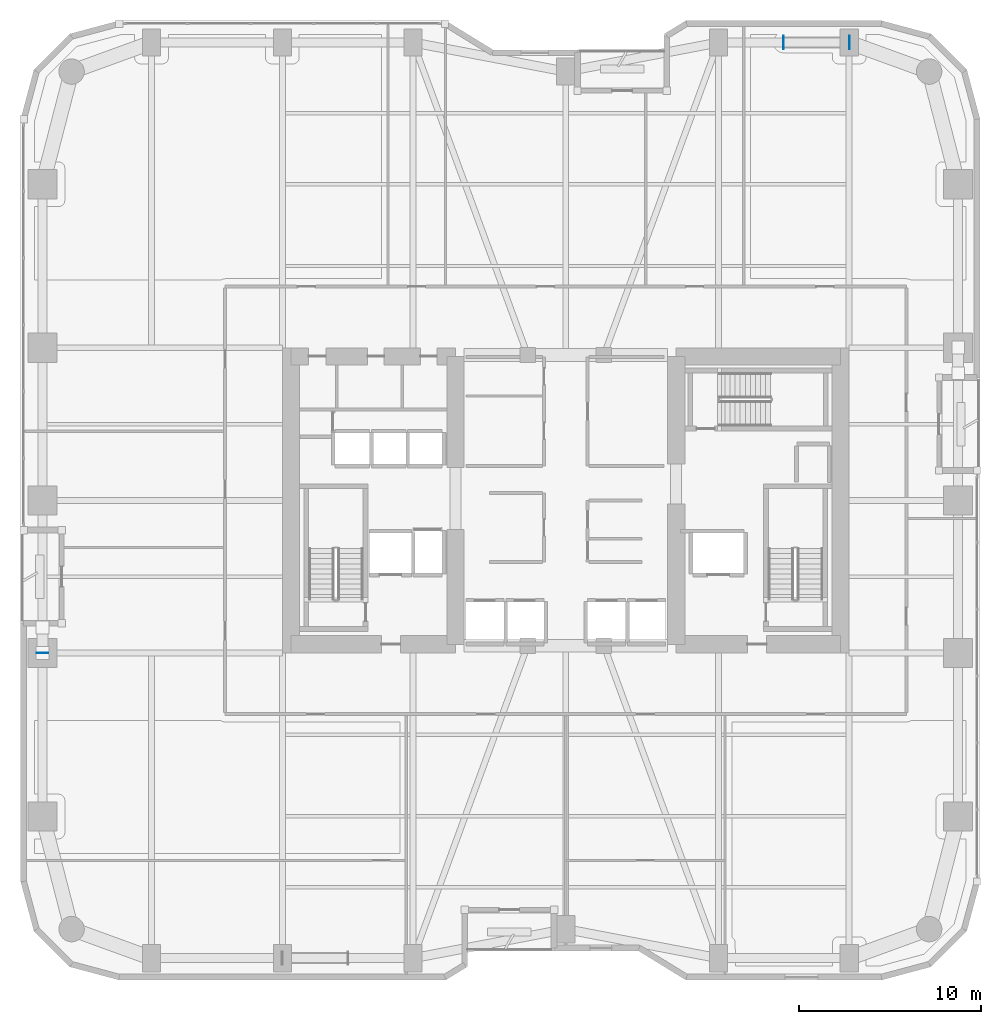
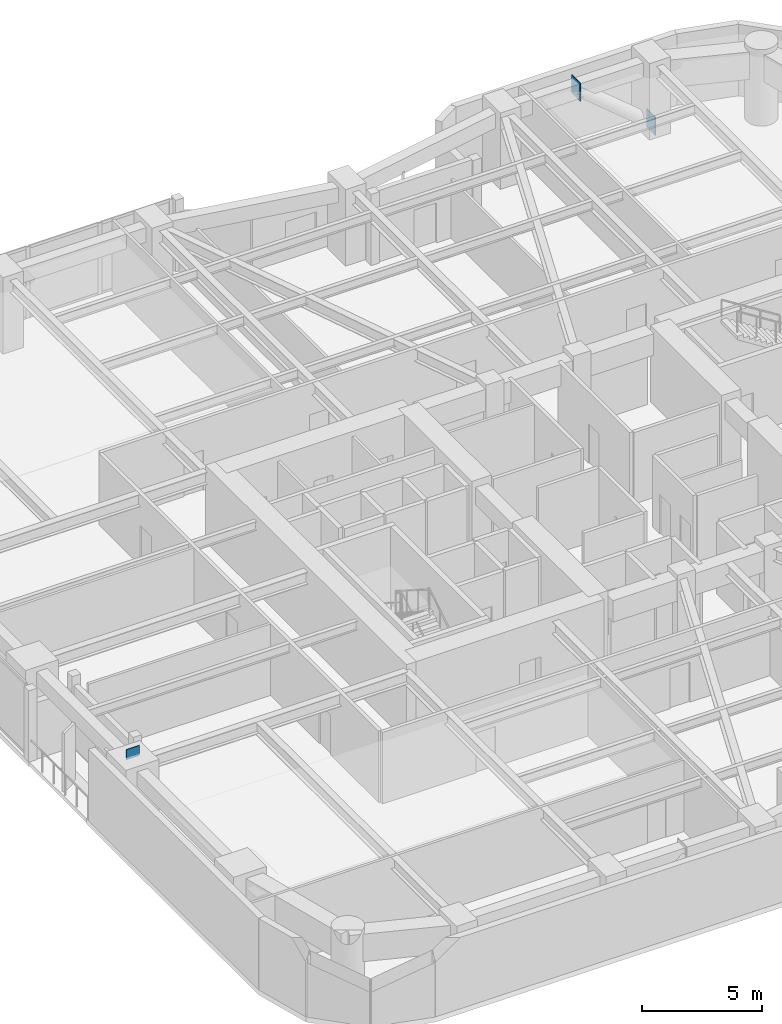
# One storey, part 17 of 24: 3 plates.
"""IFC4 building model written with IfcOpenShell, lengths in metres."""

from ifc_helpers import new_model, si_unit, direction, frame, origin, origin_2d, place, context, subcontext, project, spatial, rectangle, extrude, material, layer, layer_set, type_object, element, save


model = new_model("IFC4")

# Units and contexts
model_context = context("Model", 3, precision=1e-05, world=origin(), true_north=direction((0.0, 1.0)))
body_context = subcontext(model_context, "Body", "Model", "MODEL_VIEW")
ifc_project = project(units=[si_unit("LENGTHUNIT", "METRE"), si_unit("AREAUNIT", "SQUARE_METRE"), si_unit("VOLUMEUNIT", "CUBIC_METRE"), si_unit("PLANEANGLEUNIT", "RADIAN"), si_unit("MASSUNIT", "GRAM", prefix="KILO")], contexts=[model_context])

# Site, building, storey
site_placement = place(None, origin())
site = spatial("IfcSite", under=ifc_project, at=site_placement, CompositionType="ELEMENT")
building_placement = place(site_placement, origin())
building = spatial("IfcBuilding", under=site, at=building_placement, Name="Kiyonajd Concourse Tower", CompositionType="ELEMENT")
storey_placement = place(building_placement, frame((0.0, 0.0, 85.800048828125)))
storey = spatial("IfcBuildingStorey", under=building, at=storey_placement, Name="L22", CompositionType="ELEMENT", Elevation=85.800048828125)

# Plates
ifc_material = material(Name="Steel ASTM A572 Grade 50", Category="steel")
ifc_layer_1 = layer(ifc_material, 0.028076171875)
ifc_layer_set_1 = layer_set([ifc_layer_1], Name="Steel ASTM A572 Grade 50")
plate_type_1 = type_object("IfcPlateType", Name="PL-CAP-450", PredefinedType="USERDEFINED", material=ifc_layer_set_1)
for number, where, z_axis, x_axis, name in (
    (1, (63.6083984375, 61.199951171875, -0.173583984375), (0.0, 0.0, 1.0), (1.0, 0.0, 0.0), "L22 Hollow Brace End Cap Plate PBN"),
    (2, (59.991455078125, 61.199951171875, 2.830322265625), (0.0, 0.0, 1.0), (-1.0, 0.0, 0.0), "L22 Hollow Brace Top Cap Plate PBN"),
):
    element("IfcPlate", number, at=place(storey_placement, frame(where, z_axis=z_axis, x_axis=x_axis)), inside=storey, type_object=plate_type_1, Name=name, ObjectType="CAP PLATE", PredefinedType="USERDEFINED", context=body_context, shape_type="SweptSolid", body=[
        extrude(rectangle(XDim=0.035888671875, YDim=0.72998046875, at=origin_2d()), origin(), (0.0, 0.0, 1.0), 0.93310546875),
    ])
ifc_layer_2 = layer(ifc_material, 0.52001953125)
ifc_layer_set_2 = layer_set([ifc_layer_2], Name="Steel ASTM A572 Grade 50")
plate_type_2 = type_object("IfcPlateType", Name="PL-GUS-KN2", PredefinedType="USERDEFINED", material=ifc_layer_set_2)
plate_placement = place(storey_placement, frame((19.199951171875, 27.60009765625, 3.7900390625), z_axis=(0.0, 0.0, 1.0), x_axis=(1.0, 0.0, 0.0)))
element("IfcPlate", 3, at=plate_placement, inside=storey, type_object=plate_type_2, Name="Structural Node Assembly Gusset KN2", ObjectType="GUSSET PLATE", PredefinedType="USERDEFINED", context=body_context, shape_type="SweptSolid", body=[
    extrude(rectangle(XDim=0.639892578125, YDim=0.035888671875, at=origin_2d()), origin(), (0.0, 0.0, 1.0), 0.52001953125),
])

save(model, "model.ifc")
